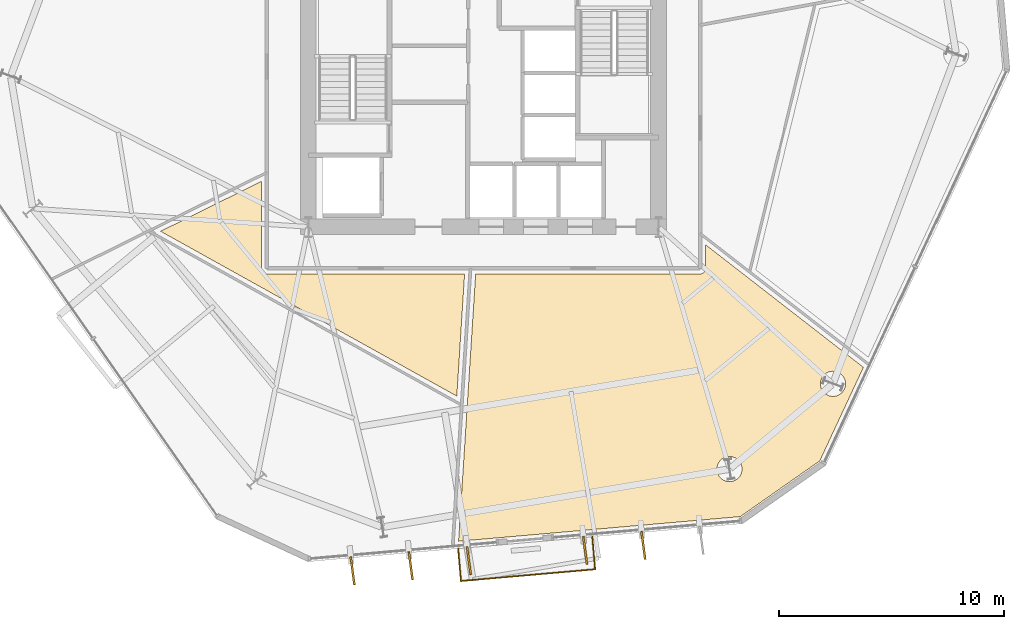
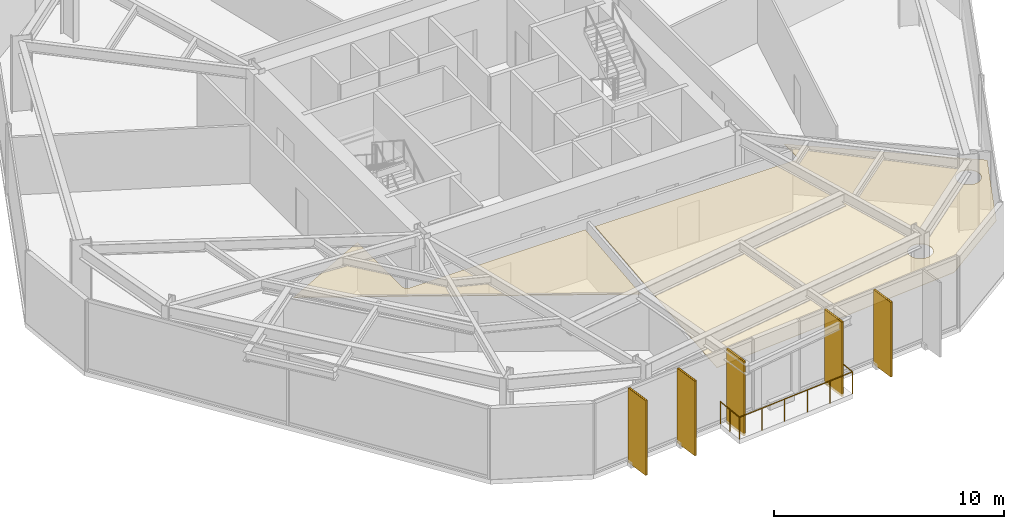
# One storey, part 9 of 11: 7 coverings, 5 shading devices, 1 railing.
"""IFC4 building model written with IfcOpenShell, lengths in metres."""

from ifc_helpers import new_model, si_unit, direction, frame, origin, origin_2d, place, context, subcontext, project, spatial, polyline, rectangle, circle, outline, extrude, material, layer, layer_set, type_object, element, save


model = new_model("IFC4")

# Units and contexts
model_context = context("Model", 3, precision=1e-05, world=origin(), true_north=direction((0.0, 1.0)))
body_context = subcontext(model_context, "Body", "Model", "MODEL_VIEW")
ifc_project = project(units=[si_unit("LENGTHUNIT", "METRE"), si_unit("AREAUNIT", "SQUARE_METRE"), si_unit("VOLUMEUNIT", "CUBIC_METRE"), si_unit("PLANEANGLEUNIT", "RADIAN"), si_unit("MASSUNIT", "GRAM", prefix="KILO")], contexts=[model_context])

# Site, building, storey
site_placement = place(None, origin())
site = spatial("IfcSite", under=ifc_project, at=site_placement, CompositionType="ELEMENT")
building_placement = place(site_placement, origin())
building = spatial("IfcBuilding", under=site, at=building_placement, Name="Kranzbogen Civic Tower", CompositionType="ELEMENT")
storey_placement = place(building_placement, frame((0.0, 0.0, 40.0)))
storey = spatial("IfcBuildingStorey", under=building, at=storey_placement, Name="L09", CompositionType="ELEMENT", Elevation=40.0)

# Coverings
ifc_material_1 = material(Name="Pale Anodised Aluminium", Category="aluminium")
ifc_layer_1 = layer(ifc_material_1, 0.02490234375, Name="Pale Anodised Aluminium")
ifc_layer_set_1 = layer_set([ifc_layer_1], Name="Pale Anodised Aluminium")
covering_type_1 = type_object("IfcCoveringType", Name="Anodised Aluminium Vertical Fin Cladding 25 mm", PredefinedType="CLADDING", material=ifc_layer_set_1)
for number, where, z_axis, x_axis, name in (
    (1, (19.1689453125, 2.48095703125, -0.139892578125), (0.0, 0.0, 1.0), (0.132775371347, -0.991146155097, 0.0), "L09 vertical fin pale-metal cladding F5-1"),
    (2, (21.759033203125, 2.7080078125, -0.139892578125), (0.0, 0.0, 1.0), (0.132775371347, -0.991146155097, 0.0), "L09 vertical fin pale-metal cladding F5-2"),
    (3, (24.34912109375, 2.93505859375, -0.139892578125), (0.0, 0.0, 1.0), (0.132775371347, -0.991146155097, 0.0), "L09 vertical fin pale-metal cladding F5-3"),
    (4, (29.529052734375, 3.387939453125, -0.139892578125), (0.0, 0.0, 1.0), (0.132775371347, -0.991146155097, 0.0), "L09 vertical fin pale-metal cladding F5-5"),
    (5, (32.118896484375, 3.614990234375, -0.139892578125), (0.0, 0.0, 1.0), (0.132775371347, -0.991146155097, 0.0), "L09 vertical fin pale-metal cladding F5-6"),
):
    element("IfcCovering", number, at=place(storey_placement, frame(where, z_axis=z_axis, x_axis=x_axis)), inside=storey, type_object=covering_type_1, Name=name, PredefinedType="CLADDING", context=body_context, shape_type="SweptSolid", body=[
        extrude(rectangle(XDim=1.25, YDim=0.10009765625, at=origin_2d()), origin(), (0.0, 0.0, 1.0), 3.9599609375),
    ])

# Shading devices
ifc_material_2 = material(Name="Anodised Bronze Aluminium", Category="aluminium")
shading_device_type = type_object("IfcShadingDeviceType", Name="Anodised Bronze Vertical Facade Fin 1250x80", PredefinedType="USERDEFINED", material=ifc_material_2)
for number, where, z_axis, x_axis, name in (
    (6, (19.1689453125, 2.48095703125, -0.139892578125), (0.0, 0.0, 1.0), (0.132775371347, -0.991146155097, 0.0), "L09 vertical exterior shading fin F5-1"),
    (7, (21.759033203125, 2.7080078125, -0.139892578125), (0.0, 0.0, 1.0), (0.132775371347, -0.991146155097, 0.0), "L09 vertical exterior shading fin F5-2"),
    (8, (24.34912109375, 2.93505859375, -0.139892578125), (0.0, 0.0, 1.0), (0.132775371347, -0.991146155097, 0.0), "L09 vertical exterior shading fin F5-3"),
    (9, (29.529052734375, 3.387939453125, -0.139892578125), (0.0, 0.0, 1.0), (0.132775371347, -0.991146155097, 0.0), "L09 vertical exterior shading fin F5-5"),
    (10, (32.118896484375, 3.614990234375, -0.139892578125), (0.0, 0.0, 1.0), (0.132775371347, -0.991146155097, 0.0), "L09 vertical exterior shading fin F5-6"),
):
    element("IfcShadingDevice", number, at=place(storey_placement, frame(where, z_axis=z_axis, x_axis=x_axis)), inside=storey, type_object=shading_device_type, Name=name, ObjectType="FIN", PredefinedType="USERDEFINED", context=body_context, shape_type="SweptSolid", body=[
        extrude(rectangle(XDim=1.25, YDim=0.080078125, at=origin_2d()), origin(), (0.0, 0.0, 1.0), 3.9599609375),
    ])

# Railing
railing_type = type_object("IfcRailingType", Name="Cantilevered Balcony Glass and Bronze Balustrade 1200", PredefinedType="BALUSTRADE", material=ifc_material_2)
railing_placement = place(storey_placement, frame((23.8720703125, 3.469970703125, 0.0)))
element("IfcRailing", 11, at=railing_placement, inside=storey, type_object=railing_type, Name="L09 exterior terrace balustrade L09-TB2", PredefinedType="BALUSTRADE", context=body_context, shape_type="SweptSolid", body=[
    extrude(circle(Radius=0.02392578125, at=origin_2d()), frame((0.0, 0.0, 1.17578125), z_axis=(0.08690578731, -0.996216534761, 0.0), x_axis=(0.996216534761, 0.08690578731, 0.0)), (0.0, 0.0, 1.0), 1.449462890625),
    extrude(circle(Radius=0.02392578125, at=origin_2d()), frame((0.1259765625, -1.444091796875, 1.17578125), z_axis=(0.996190801894, 0.08720026503, 0.0), x_axis=(-0.08720026503, 0.996190801894, 0.0)), (0.0, 0.0, 1.0), 6.0),
    extrude(circle(Radius=0.02392578125, at=origin_2d()), frame((6.10302734375, -0.9208984375, 1.17578125), z_axis=(-0.086920371222, 0.996215262414, 0.0), x_axis=(-0.996215262414, -0.086920371222, 0.0)), (0.0, 0.0, 1.0), 1.44921875),
    extrude(circle(Radius=0.02099609375, at=origin_2d()), origin(), (0.0, 0.0, 1.0), 1.15185546875),
    extrude(circle(Radius=0.02099609375, at=origin_2d()), frame((0.06298828125, -0.72216796875, 0.0)), (0.0, 0.0, 1.0), 1.15185546875),
    extrude(circle(Radius=0.02099609375, at=origin_2d()), frame((0.1259765625, -1.444091796875, 0.0)), (0.0, 0.0, 1.0), 1.15185546875),
    extrude(circle(Radius=0.02099609375, at=origin_2d()), frame((1.3212890625, -1.33935546875, 0.0)), (0.0, 0.0, 1.0), 1.15185546875),
    extrude(circle(Radius=0.02099609375, at=origin_2d()), frame((2.516845703125, -1.23486328125, 0.0)), (0.0, 0.0, 1.0), 1.15185546875),
    extrude(circle(Radius=0.02099609375, at=origin_2d()), frame((3.712158203125, -1.130126953125, 0.0)), (0.0, 0.0, 1.0), 1.15185546875),
    extrude(circle(Radius=0.02099609375, at=origin_2d()), frame((4.90771484375, -1.025634765625, 0.0)), (0.0, 0.0, 1.0), 1.15185546875),
    extrude(circle(Radius=0.02099609375, at=origin_2d()), frame((6.10302734375, -0.9208984375, 0.0)), (0.0, 0.0, 1.0), 1.15185546875),
    extrude(circle(Radius=0.02099609375, at=origin_2d()), frame((6.0400390625, -0.198974609375, 0.0)), (0.0, 0.0, 1.0), 1.15185546875),
    extrude(circle(Radius=0.02099609375, at=origin_2d()), frame((5.97705078125, 0.52294921875, 0.0)), (0.0, 0.0, 1.0), 1.15185546875),
])

# Coverings
ifc_material_3 = material(Name="Perforated Acoustic Gypsum Ceiling")
ifc_layer_2 = layer(ifc_material_3, 0.02490234375, Name="Perforated Acoustic Gypsum Ceiling")
ifc_layer_set_2 = layer_set([ifc_layer_2], Name="Perforated Acoustic Gypsum Ceiling")
covering_type_2 = type_object("IfcCoveringType", Name="Perforated Acoustic Mineral Ceiling Tile 25 mm", PredefinedType="CEILING", material=ifc_layer_set_2)
covering_1_placement = place(storey_placement, frame((0.0, 0.0, 2.75)))
element("IfcCovering", 12, at=covering_1_placement, inside=storey, type_object=covering_type_2, Name="L09 Directorate Admin Workspace acoustic ceiling", PredefinedType="CEILING", context=body_context, shape_type="SweptSolid", body=[
    extrude(outline(polyline([(15.10498046875, 15.949951171875), (15.10498046875, 15.94091796875), (15.10595703125, 15.93505859375), (15.10693359375, 15.9169921875), (15.10791015625, 15.910888671875), (15.112060546875, 15.89404296875), (15.113037109375, 15.886962890625), (15.117919921875, 15.8701171875), (15.1201171875, 15.864013671875), (15.126953125, 15.847900390625), (15.1298828125, 15.842041015625), (15.137939453125, 15.826904296875), (15.14208984375, 15.821044921875), (15.15087890625, 15.806884765625), (15.155029296875, 15.802001953125), (15.166015625, 15.7880859375), (15.1708984375, 15.782958984375), (15.18310546875, 15.77099609375), (15.18798828125, 15.76611328125), (15.201904296875, 15.7548828125), (15.20703125, 15.7509765625), (15.220947265625, 15.741943359375), (15.22705078125, 15.738037109375), (15.241943359375, 15.72998046875), (15.248046875, 15.72705078125), (15.263916015625, 15.719970703125), (15.27001953125, 15.718017578125), (15.287109375, 15.712890625), (15.2939453125, 15.7119140625), (15.31103515625, 15.7080078125), (15.31689453125, 15.70703125), (15.3349609375, 15.7060546875), (15.341064453125, 15.705078125), (15.35009765625, 15.705078125), (24.160888671875, 15.705078125), (23.81298828125, 10.262939453125), (10.618896484375, 17.60400390625), (15.10498046875, 19.825927734375), (15.10498046875, 15.949951171875)])), origin(), (0.0, 0.0, 1.0), 0.02490234375),
])
covering_2_placement = place(storey_placement, frame((0.0, 0.0, 2.75)))
element("IfcCovering", 13, at=covering_2_placement, inside=storey, type_object=covering_type_2, Name="L09 Civic Reference Library acoustic ceiling", PredefinedType="CEILING", context=body_context, shape_type="SweptSolid", body=[
    extrude(outline(polyline([(36.43701171875, 4.89501953125), (23.89111328125, 3.797119140625), (24.652099609375, 15.705078125), (34.64990234375, 15.705078125), (34.658935546875, 15.705078125), (34.6650390625, 15.7060546875), (34.68310546875, 15.70703125), (34.68896484375, 15.7080078125), (34.7060546875, 15.7119140625), (34.712890625, 15.712890625), (34.72998046875, 15.718017578125), (34.736083984375, 15.719970703125), (34.751953125, 15.72705078125), (34.758056640625, 15.72998046875), (34.77294921875, 15.738037109375), (34.779052734375, 15.741943359375), (34.79296875, 15.7509765625), (34.798095703125, 15.7548828125), (34.81201171875, 15.76611328125), (34.81689453125, 15.77099609375), (34.8291015625, 15.782958984375), (34.833984375, 15.7880859375), (34.844970703125, 15.802001953125), (34.84912109375, 15.806884765625), (34.85791015625, 15.821044921875), (34.862060546875, 15.826904296875), (34.8701171875, 15.842041015625), (34.873046875, 15.847900390625), (34.8798828125, 15.864013671875), (34.882080078125, 15.8701171875), (34.886962890625, 15.886962890625), (34.887939453125, 15.89404296875), (34.89208984375, 15.910888671875), (34.89306640625, 15.9169921875), (34.89404296875, 15.93505859375), (34.89501953125, 15.94091796875), (34.89501953125, 15.949951171875), (34.89501953125, 17.0048828125), (41.924072265625, 11.544921875), (39.97998046875, 7.3759765625), (36.43701171875, 4.89501953125)]), holes=[polyline([(36.47509765625, 6.798095703125), (36.450927734375, 6.748046875), (36.423095703125, 6.700927734375), (36.389892578125, 6.656982421875), (36.35400390625, 6.615966796875), (36.31298828125, 6.580078125), (36.26904296875, 6.547119140625), (36.221923828125, 6.51904296875), (36.172119140625, 6.4951171875), (36.1201171875, 6.47705078125), (36.06689453125, 6.462890625), (36.012939453125, 6.455078125), (35.9580078125, 6.452880859375), (35.903076171875, 6.455078125), (35.84912109375, 6.462890625), (35.7958984375, 6.47705078125), (35.743896484375, 6.4951171875), (35.694091796875, 6.51904296875), (35.64697265625, 6.547119140625), (35.60302734375, 6.580078125), (35.56201171875, 6.615966796875), (35.52587890625, 6.656982421875), (35.492919921875, 6.700927734375), (35.465087890625, 6.748046875), (35.44091796875, 6.798095703125), (35.423095703125, 6.85009765625), (35.408935546875, 6.903076171875), (35.40087890625, 6.95703125), (35.39892578125, 7.011962890625), (35.40087890625, 7.06689453125), (35.408935546875, 7.12109375), (35.423095703125, 7.174072265625), (35.44091796875, 7.22607421875), (35.465087890625, 7.27587890625), (35.492919921875, 7.322998046875), (35.52587890625, 7.366943359375), (35.56201171875, 7.407958984375), (35.60302734375, 7.444091796875), (35.64697265625, 7.47705078125), (35.694091796875, 7.5048828125), (35.743896484375, 7.529052734375), (35.7958984375, 7.547119140625), (35.84912109375, 7.56103515625), (35.903076171875, 7.569091796875), (35.9580078125, 7.571044921875), (36.012939453125, 7.569091796875), (36.06689453125, 7.56103515625), (36.1201171875, 7.547119140625), (36.172119140625, 7.529052734375), (36.221923828125, 7.5048828125), (36.26904296875, 7.47705078125), (36.31298828125, 7.444091796875), (36.35400390625, 7.407958984375), (36.389892578125, 7.366943359375), (36.423095703125, 7.322998046875), (36.450927734375, 7.27587890625), (36.47509765625, 7.22607421875), (36.492919921875, 7.174072265625), (36.507080078125, 7.12109375), (36.514892578125, 7.06689453125), (36.51708984375, 7.011962890625), (36.514892578125, 6.95703125), (36.507080078125, 6.903076171875), (36.492919921875, 6.85009765625), (36.47509765625, 6.798095703125)]), polyline([(41.083984375, 10.596923828125), (41.06005859375, 10.547119140625), (41.031982421875, 10.5), (40.9990234375, 10.4560546875), (40.962890625, 10.4150390625), (40.922119140625, 10.37890625), (40.8779296875, 10.345947265625), (40.8310546875, 10.318115234375), (40.781005859375, 10.2939453125), (40.72900390625, 10.27587890625), (40.676025390625, 10.261962890625), (40.6220703125, 10.25390625), (40.56689453125, 10.251953125), (40.511962890625, 10.25390625), (40.4580078125, 10.261962890625), (40.405029296875, 10.27587890625), (40.35302734375, 10.2939453125), (40.302978515625, 10.318115234375), (40.256103515625, 10.345947265625), (40.2119140625, 10.37890625), (40.1708984375, 10.4150390625), (40.135009765625, 10.4560546875), (40.10205078125, 10.5), (40.073974609375, 10.547119140625), (40.050048828125, 10.596923828125), (40.031982421875, 10.64892578125), (40.01806640625, 10.701904296875), (40.010009765625, 10.756103515625), (40.008056640625, 10.81103515625), (40.010009765625, 10.865966796875), (40.01806640625, 10.919921875), (40.031982421875, 10.972900390625), (40.050048828125, 11.02490234375), (40.073974609375, 11.074951171875), (40.10205078125, 11.1220703125), (40.135009765625, 11.166015625), (40.1708984375, 11.20703125), (40.2119140625, 11.242919921875), (40.256103515625, 11.27587890625), (40.302978515625, 11.303955078125), (40.35302734375, 11.327880859375), (40.405029296875, 11.345947265625), (40.4580078125, 11.360107421875), (40.511962890625, 11.367919921875), (40.56689453125, 11.3701171875), (40.6220703125, 11.367919921875), (40.676025390625, 11.360107421875), (40.72900390625, 11.345947265625), (40.781005859375, 11.327880859375), (40.8310546875, 11.303955078125), (40.8779296875, 11.27587890625), (40.922119140625, 11.242919921875), (40.962890625, 11.20703125), (40.9990234375, 11.166015625), (41.031982421875, 11.1220703125), (41.06005859375, 11.074951171875), (41.083984375, 11.02490234375), (41.10205078125, 10.972900390625), (41.115966796875, 10.919921875), (41.1240234375, 10.865966796875), (41.1259765625, 10.81103515625), (41.1240234375, 10.756103515625), (41.115966796875, 10.701904296875), (41.10205078125, 10.64892578125), (41.083984375, 10.596923828125)])]), origin(), (0.0, 0.0, 1.0), 0.02490234375),
])

save(model, "model.ifc")
